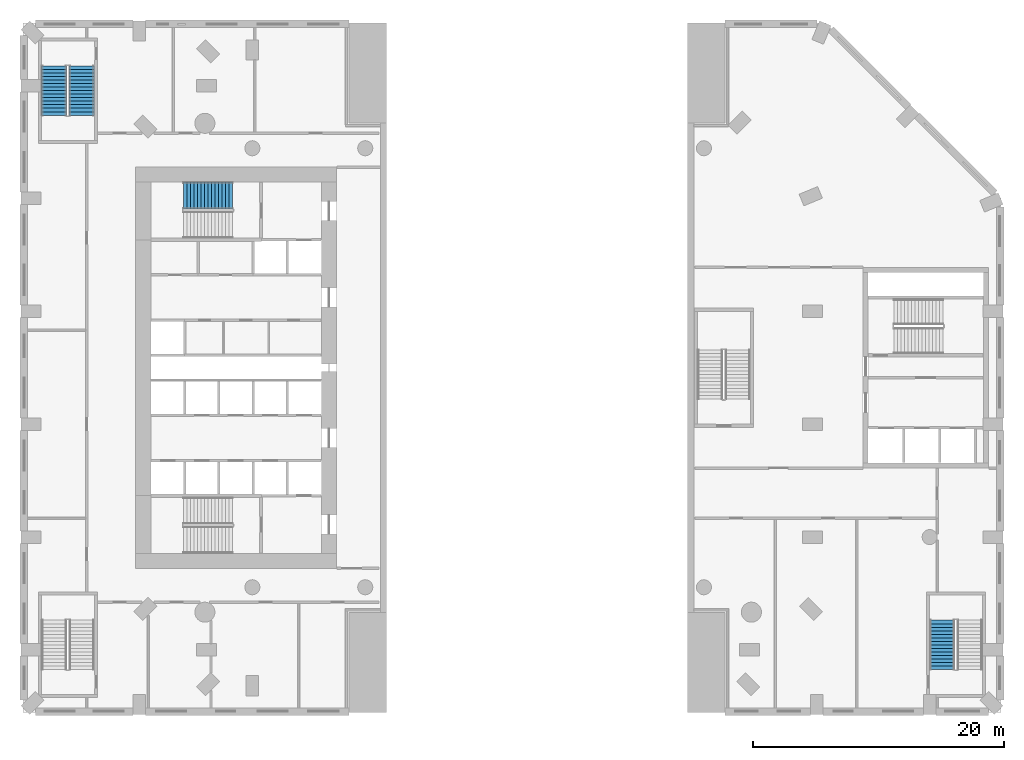
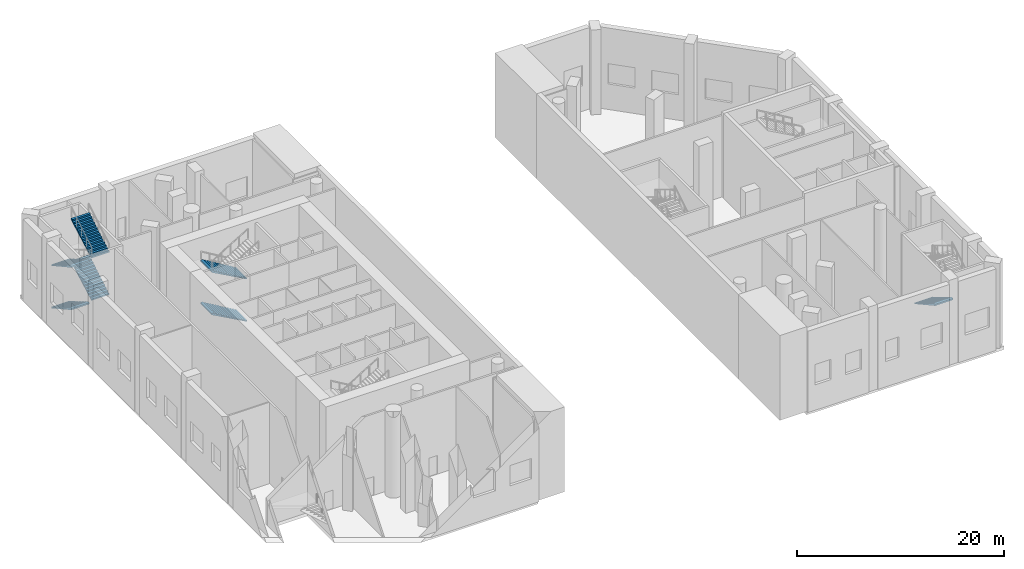
# One storey, part 12 of 17: 7 stair flights, 3 elements without a shape of their own.
"""IFC4 building model written with IfcOpenShell, lengths in metres."""

from ifc_helpers import new_model, si_unit, direction, frame, origin, place, context, subcontext, project, spatial, triangles, material, type_object, element, aggregate, save


model = new_model("IFC4")

# Units and contexts
model_context = context("Model", 3, precision=1e-05, world=origin(), true_north=direction((0.0, 1.0)))
body_context = subcontext(model_context, "Body", "Model", "MODEL_VIEW")
ifc_project = project(units=[si_unit("LENGTHUNIT", "METRE"), si_unit("AREAUNIT", "SQUARE_METRE"), si_unit("VOLUMEUNIT", "CUBIC_METRE"), si_unit("PLANEANGLEUNIT", "RADIAN"), si_unit("MASSUNIT", "GRAM", prefix="KILO")], contexts=[model_context])

# Site, building, storey
site_placement = place(None, origin())
site = spatial("IfcSite", under=ifc_project, at=site_placement, CompositionType="ELEMENT")
building_placement = place(site_placement, origin())
building = spatial("IfcBuilding", under=site, at=building_placement, Name="Cypress Arch Tower", CompositionType="ELEMENT")
storey_placement = place(building_placement, frame((0.0, 0.0, 19.0)))
storey = spatial("IfcBuildingStorey", under=building, at=storey_placement, Name="L02", CompositionType="ELEMENT", Elevation=19.0)

# Stair, stair flights
ifc_material_1 = material(Name="Concrete C40/50", Category="concrete")
stair_type_1 = type_object("IfcStairType", Name="Exit stair ES1667-200", PredefinedType="HALF_TURN_STAIR", material=ifc_material_1)
stair_1_placement = place(storey_placement, origin())
stair_1 = element("IfcStair", 1, at=stair_1_placement, inside=storey, type_object=stair_type_1, Name="L02 Exit stair P2", PredefinedType="HALF_TURN_STAIR")
ifc_material_2 = material(Name="Concrete C40/50", Category="concrete")
stair_flight_type_1 = type_object("IfcStairFlightType", Name="Exit stair flight ES1667-200", PredefinedType="STRAIGHT", material=ifc_material_2)
stair_flight_1_placement = place(storey_placement, frame((-36.5, 24.050048828125, 0.0), z_axis=(0.0, 0.0, 1.0), x_axis=(0.0, -1.0, 0.0)))
stair_flight_1 = element("IfcStairFlight", 2, at=stair_flight_1_placement, type_object=stair_flight_type_1, Name="P2 flight 1", NumberOfRisers=15, NumberOfTreads=14, PredefinedType="STRAIGHT", RiserHeight=0.166666667, TreadLength=0.28, context=body_context, shape_type="Tessellation", body=[
    triangles([(0.0, -1.0, 0.0), (0.0, -1.0, 0.166748046875), (0.280029296875, -1.0, 0.166748046875), (0.280029296875, -1.0, 0.333251953125), (0.56005859375, -1.0, 0.333251953125), (0.56005859375, -1.0, 0.5), (0.840087890625, -1.0, 0.5), (0.840087890625, -1.0, 0.666748046875), (1.1201171875, -1.0, 0.666748046875), (1.1201171875, -1.0, 0.833251953125), (1.39990234375, -1.0, 0.833251953125), (1.39990234375, -1.0, 1.0), (1.679931640625, -1.0, 1.0), (1.679931640625, -1.0, 1.166748046875), (1.9599609375, -1.0, 1.166748046875), (1.9599609375, -1.0, 1.333251953125), (2.239990234375, -1.0, 1.333251953125), (2.239990234375, -1.0, 1.5), (2.52001953125, -1.0, 1.5), (2.52001953125, -1.0, 1.666748046875), (2.800048828125, -1.0, 1.666748046875), (2.800048828125, -1.0, 1.833251953125), (3.080078125, -1.0, 1.833251953125), (3.080078125, -1.0, 2.0), (3.360107421875, -1.0, 2.0), (3.360107421875, -1.0, 2.166748046875), (3.639892578125, -1.0, 2.166748046875), (3.639892578125, -1.0, 2.333251953125), (3.919921875, -1.0, 2.333251953125), (3.919921875, -1.0, 2.158935546875), (3.919921875, 1.0, 2.158935546875), (3.919921875, 1.0, 2.333251953125), (3.639892578125, 1.0, 2.333251953125), (3.639892578125, 1.0, 2.166748046875), (3.360107421875, 1.0, 2.166748046875), (3.360107421875, 1.0, 2.0), (3.080078125, 1.0, 2.0), (3.080078125, 1.0, 1.833251953125), (2.800048828125, 1.0, 1.833251953125), (2.800048828125, 1.0, 1.666748046875), (2.52001953125, 1.0, 1.666748046875), (2.52001953125, 1.0, 1.5), (2.239990234375, 1.0, 1.5), (2.239990234375, 1.0, 1.333251953125), (1.9599609375, 1.0, 1.333251953125), (1.9599609375, 1.0, 1.166748046875), (1.679931640625, 1.0, 1.166748046875), (1.679931640625, 1.0, 1.0), (1.39990234375, 1.0, 1.0), (1.39990234375, 1.0, 0.833251953125), (1.1201171875, 1.0, 0.833251953125), (1.1201171875, 1.0, 0.666748046875), (0.840087890625, 1.0, 0.666748046875), (0.840087890625, 1.0, 0.5), (0.56005859375, 1.0, 0.5), (0.56005859375, 1.0, 0.333251953125), (0.280029296875, 1.0, 0.333251953125), (0.280029296875, 1.0, 0.166748046875), (0.0, 1.0, 0.166748046875), (0.0, 1.0, 0.0)], [[30, 29, 28], [27, 26, 25], [25, 24, 23], [21, 20, 19], [19, 18, 17], [15, 14, 13], [13, 12, 11], [9, 8, 7], [7, 6, 5], [3, 2, 1], [11, 10, 9], [23, 22, 21], [17, 16, 15], [5, 4, 3], [30, 28, 27], [30, 27, 25], [30, 25, 23], [30, 23, 21], [30, 21, 19], [30, 19, 17], [30, 17, 15], [30, 15, 13], [30, 13, 11], [30, 11, 9], [30, 9, 7], [30, 7, 5], [1, 30, 5], [5, 3, 1], [31, 33, 32], [34, 36, 35], [36, 38, 37], [40, 42, 41], [42, 44, 43], [46, 48, 47], [48, 50, 49], [52, 54, 53], [54, 56, 55], [58, 60, 59], [50, 52, 51], [38, 40, 39], [44, 46, 45], [56, 58, 57], [31, 34, 33], [31, 36, 34], [31, 38, 36], [31, 40, 38], [31, 42, 40], [31, 44, 42], [31, 46, 44], [31, 48, 46], [31, 50, 48], [31, 52, 50], [31, 54, 52], [31, 56, 54], [60, 56, 31], [56, 60, 58], [31, 32, 29], [31, 29, 30], [32, 33, 28], [32, 28, 29], [33, 34, 27], [33, 27, 28], [34, 35, 26], [34, 26, 27], [35, 36, 25], [35, 25, 26], [36, 37, 24], [36, 24, 25], [37, 38, 23], [37, 23, 24], [38, 39, 22], [38, 22, 23], [39, 40, 21], [39, 21, 22], [40, 41, 20], [40, 20, 21], [41, 42, 19], [41, 19, 20], [42, 43, 18], [42, 18, 19], [43, 44, 17], [43, 17, 18], [44, 45, 16], [44, 16, 17], [45, 46, 15], [45, 15, 16], [46, 47, 14], [46, 14, 15], [47, 48, 13], [47, 13, 14], [48, 49, 12], [48, 12, 13], [49, 50, 11], [49, 11, 12], [50, 51, 10], [50, 10, 11], [51, 52, 9], [51, 9, 10], [52, 53, 8], [52, 8, 9], [53, 54, 7], [53, 7, 8], [54, 55, 6], [54, 6, 7], [55, 56, 5], [55, 5, 6], [56, 57, 4], [56, 4, 5], [57, 58, 3], [57, 3, 4], [58, 59, 2], [58, 2, 3], [59, 60, 1], [59, 1, 2], [60, 31, 30], [60, 30, 1]], closed=True),
])
stair_flight_2_placement = place(storey_placement, frame((-34.300048828125, 20.1298828125, 2.5), z_axis=(0.0, 0.0, 1.0), x_axis=(0.0, 1.0, 0.0)))
stair_flight_2 = element("IfcStairFlight", 3, at=stair_flight_2_placement, type_object=stair_flight_type_1, Name="P2 flight 2", NumberOfRisers=15, NumberOfTreads=14, PredefinedType="STRAIGHT", RiserHeight=0.166666667, TreadLength=0.28, context=body_context, shape_type="Tessellation", body=[
    triangles([(0.0, -1.0, 0.0), (0.0, -1.0, 0.166748046875), (0.280029296875, -1.0, 0.166748046875), (0.280029296875, -1.0, 0.333251953125), (0.56005859375, -1.0, 0.333251953125), (0.56005859375, -1.0, 0.5), (0.840087890625, -1.0, 0.5), (0.840087890625, -1.0, 0.666748046875), (1.1201171875, -1.0, 0.666748046875), (1.1201171875, -1.0, 0.833251953125), (1.39990234375, -1.0, 0.833251953125), (1.39990234375, -1.0, 1.0), (1.679931640625, -1.0, 1.0), (1.679931640625, -1.0, 1.166748046875), (1.9599609375, -1.0, 1.166748046875), (1.9599609375, -1.0, 1.333251953125), (2.239990234375, -1.0, 1.333251953125), (2.239990234375, -1.0, 1.5), (2.52001953125, -1.0, 1.5), (2.52001953125, -1.0, 1.666748046875), (2.800048828125, -1.0, 1.666748046875), (2.800048828125, -1.0, 1.833251953125), (3.080078125, -1.0, 1.833251953125), (3.080078125, -1.0, 2.0), (3.360107421875, -1.0, 2.0), (3.360107421875, -1.0, 2.166748046875), (3.639892578125, -1.0, 2.166748046875), (3.639892578125, -1.0, 2.333251953125), (3.919921875, -1.0, 2.333251953125), (3.919921875, -1.0, 2.158935546875), (3.919921875, 1.0, 2.158935546875), (3.919921875, 1.0, 2.333251953125), (3.639892578125, 1.0, 2.333251953125), (3.639892578125, 1.0, 2.166748046875), (3.360107421875, 1.0, 2.166748046875), (3.360107421875, 1.0, 2.0), (3.080078125, 1.0, 2.0), (3.080078125, 1.0, 1.833251953125), (2.800048828125, 1.0, 1.833251953125), (2.800048828125, 1.0, 1.666748046875), (2.52001953125, 1.0, 1.666748046875), (2.52001953125, 1.0, 1.5), (2.239990234375, 1.0, 1.5), (2.239990234375, 1.0, 1.333251953125), (1.9599609375, 1.0, 1.333251953125), (1.9599609375, 1.0, 1.166748046875), (1.679931640625, 1.0, 1.166748046875), (1.679931640625, 1.0, 1.0), (1.39990234375, 1.0, 1.0), (1.39990234375, 1.0, 0.833251953125), (1.1201171875, 1.0, 0.833251953125), (1.1201171875, 1.0, 0.666748046875), (0.840087890625, 1.0, 0.666748046875), (0.840087890625, 1.0, 0.5), (0.56005859375, 1.0, 0.5), (0.56005859375, 1.0, 0.333251953125), (0.280029296875, 1.0, 0.333251953125), (0.280029296875, 1.0, 0.166748046875), (0.0, 1.0, 0.166748046875), (0.0, 1.0, 0.0)], [[30, 29, 28], [27, 26, 25], [25, 24, 23], [21, 20, 19], [19, 18, 17], [15, 14, 13], [13, 12, 11], [9, 8, 7], [7, 6, 5], [3, 2, 1], [11, 10, 9], [23, 22, 21], [17, 16, 15], [5, 4, 3], [30, 28, 27], [30, 27, 25], [30, 25, 23], [30, 23, 21], [30, 21, 19], [30, 19, 17], [30, 17, 15], [30, 15, 13], [30, 13, 11], [30, 11, 9], [30, 9, 7], [30, 7, 5], [1, 30, 5], [5, 3, 1], [31, 33, 32], [34, 36, 35], [36, 38, 37], [40, 42, 41], [42, 44, 43], [46, 48, 47], [48, 50, 49], [52, 54, 53], [54, 56, 55], [58, 60, 59], [50, 52, 51], [38, 40, 39], [44, 46, 45], [56, 58, 57], [31, 34, 33], [31, 36, 34], [31, 38, 36], [31, 40, 38], [31, 42, 40], [31, 44, 42], [31, 46, 44], [31, 48, 46], [31, 50, 48], [31, 52, 50], [31, 54, 52], [31, 56, 54], [60, 56, 31], [56, 60, 58], [31, 32, 29], [31, 29, 30], [32, 33, 28], [32, 28, 29], [33, 34, 27], [33, 27, 28], [34, 35, 26], [34, 26, 27], [35, 36, 25], [35, 25, 26], [36, 37, 24], [36, 24, 25], [37, 38, 23], [37, 23, 24], [38, 39, 22], [38, 22, 23], [39, 40, 21], [39, 21, 22], [40, 41, 20], [40, 20, 21], [41, 42, 19], [41, 19, 20], [42, 43, 18], [42, 18, 19], [43, 44, 17], [43, 17, 18], [44, 45, 16], [44, 16, 17], [45, 46, 15], [45, 15, 16], [46, 47, 14], [46, 14, 15], [47, 48, 13], [47, 13, 14], [48, 49, 12], [48, 12, 13], [49, 50, 11], [49, 11, 12], [50, 51, 10], [50, 10, 11], [51, 52, 9], [51, 9, 10], [52, 53, 8], [52, 8, 9], [53, 54, 7], [53, 7, 8], [54, 55, 6], [54, 6, 7], [55, 56, 5], [55, 5, 6], [56, 57, 4], [56, 4, 5], [57, 58, 3], [57, 3, 4], [58, 59, 2], [58, 2, 3], [59, 60, 1], [59, 1, 2], [60, 31, 30], [60, 30, 1]], closed=True),
])
stair_flight_3_placement = place(storey_placement, frame((-36.5, 24.050048828125, 5.0), z_axis=(0.0, 0.0, 1.0), x_axis=(0.0, -1.0, 0.0)))
stair_flight_3 = element("IfcStairFlight", 4, at=stair_flight_3_placement, type_object=stair_flight_type_1, Name="P2 flight 3", NumberOfRisers=15, NumberOfTreads=14, PredefinedType="STRAIGHT", RiserHeight=0.166666667, TreadLength=0.28, context=body_context, shape_type="Tessellation", body=[
    triangles([(0.0, -1.0, 0.0), (0.0, -1.0, 0.166748046875), (0.280029296875, -1.0, 0.166748046875), (0.280029296875, -1.0, 0.333251953125), (0.56005859375, -1.0, 0.333251953125), (0.56005859375, -1.0, 0.5), (0.840087890625, -1.0, 0.5), (0.840087890625, -1.0, 0.666748046875), (1.1201171875, -1.0, 0.666748046875), (1.1201171875, -1.0, 0.833251953125), (1.39990234375, -1.0, 0.833251953125), (1.39990234375, -1.0, 1.0), (1.679931640625, -1.0, 1.0), (1.679931640625, -1.0, 1.166748046875), (1.9599609375, -1.0, 1.166748046875), (1.9599609375, -1.0, 1.333251953125), (2.239990234375, -1.0, 1.333251953125), (2.239990234375, -1.0, 1.5), (2.52001953125, -1.0, 1.5), (2.52001953125, -1.0, 1.666748046875), (2.800048828125, -1.0, 1.666748046875), (2.800048828125, -1.0, 1.833251953125), (3.080078125, -1.0, 1.833251953125), (3.080078125, -1.0, 2.0), (3.360107421875, -1.0, 2.0), (3.360107421875, -1.0, 2.166748046875), (3.639892578125, -1.0, 2.166748046875), (3.639892578125, -1.0, 2.333251953125), (3.919921875, -1.0, 2.333251953125), (3.919921875, -1.0, 2.158935546875), (3.919921875, 1.0, 2.158935546875), (3.919921875, 1.0, 2.333251953125), (3.639892578125, 1.0, 2.333251953125), (3.639892578125, 1.0, 2.166748046875), (3.360107421875, 1.0, 2.166748046875), (3.360107421875, 1.0, 2.0), (3.080078125, 1.0, 2.0), (3.080078125, 1.0, 1.833251953125), (2.800048828125, 1.0, 1.833251953125), (2.800048828125, 1.0, 1.666748046875), (2.52001953125, 1.0, 1.666748046875), (2.52001953125, 1.0, 1.5), (2.239990234375, 1.0, 1.5), (2.239990234375, 1.0, 1.333251953125), (1.9599609375, 1.0, 1.333251953125), (1.9599609375, 1.0, 1.166748046875), (1.679931640625, 1.0, 1.166748046875), (1.679931640625, 1.0, 1.0), (1.39990234375, 1.0, 1.0), (1.39990234375, 1.0, 0.833251953125), (1.1201171875, 1.0, 0.833251953125), (1.1201171875, 1.0, 0.666748046875), (0.840087890625, 1.0, 0.666748046875), (0.840087890625, 1.0, 0.5), (0.56005859375, 1.0, 0.5), (0.56005859375, 1.0, 0.333251953125), (0.280029296875, 1.0, 0.333251953125), (0.280029296875, 1.0, 0.166748046875), (0.0, 1.0, 0.166748046875), (0.0, 1.0, 0.0)], [[30, 29, 28], [27, 26, 25], [25, 24, 23], [21, 20, 19], [19, 18, 17], [15, 14, 13], [13, 12, 11], [9, 8, 7], [7, 6, 5], [3, 2, 1], [11, 10, 9], [23, 22, 21], [17, 16, 15], [5, 4, 3], [30, 28, 27], [30, 27, 25], [30, 25, 23], [30, 23, 21], [30, 21, 19], [30, 19, 17], [30, 17, 15], [30, 15, 13], [30, 13, 11], [30, 11, 9], [30, 9, 7], [30, 7, 5], [1, 30, 5], [5, 3, 1], [31, 33, 32], [34, 36, 35], [36, 38, 37], [40, 42, 41], [42, 44, 43], [46, 48, 47], [48, 50, 49], [52, 54, 53], [54, 56, 55], [58, 60, 59], [50, 52, 51], [38, 40, 39], [44, 46, 45], [56, 58, 57], [31, 34, 33], [31, 36, 34], [31, 38, 36], [31, 40, 38], [31, 42, 40], [31, 44, 42], [31, 46, 44], [31, 48, 46], [31, 50, 48], [31, 52, 50], [31, 54, 52], [31, 56, 54], [60, 56, 31], [56, 60, 58], [31, 32, 29], [31, 29, 30], [32, 33, 28], [32, 28, 29], [33, 34, 27], [33, 27, 28], [34, 35, 26], [34, 26, 27], [35, 36, 25], [35, 25, 26], [36, 37, 24], [36, 24, 25], [37, 38, 23], [37, 23, 24], [38, 39, 22], [38, 22, 23], [39, 40, 21], [39, 21, 22], [40, 41, 20], [40, 20, 21], [41, 42, 19], [41, 19, 20], [42, 43, 18], [42, 18, 19], [43, 44, 17], [43, 17, 18], [44, 45, 16], [44, 16, 17], [45, 46, 15], [45, 15, 16], [46, 47, 14], [46, 14, 15], [47, 48, 13], [47, 13, 14], [48, 49, 12], [48, 12, 13], [49, 50, 11], [49, 11, 12], [50, 51, 10], [50, 10, 11], [51, 52, 9], [51, 9, 10], [52, 53, 8], [52, 8, 9], [53, 54, 7], [53, 7, 8], [54, 55, 6], [54, 6, 7], [55, 56, 5], [55, 5, 6], [56, 57, 4], [56, 4, 5], [57, 58, 3], [57, 3, 4], [58, 59, 2], [58, 2, 3], [59, 60, 1], [59, 1, 2], [60, 31, 30], [60, 30, 1]], closed=True),
])
stair_flight_4_placement = place(storey_placement, frame((-34.300048828125, 20.1298828125, 7.5), z_axis=(0.0, 0.0, 1.0), x_axis=(0.0, 1.0, 0.0)))
stair_flight_4 = element("IfcStairFlight", 5, at=stair_flight_4_placement, type_object=stair_flight_type_1, Name="P2 flight 4", NumberOfRisers=15, NumberOfTreads=14, PredefinedType="STRAIGHT", RiserHeight=0.166666667, TreadLength=0.28, context=body_context, shape_type="Tessellation", body=[
    triangles([(0.0, -1.0, 0.0), (0.0, -1.0, 0.166748046875), (0.280029296875, -1.0, 0.166748046875), (0.280029296875, -1.0, 0.333251953125), (0.56005859375, -1.0, 0.333251953125), (0.56005859375, -1.0, 0.5), (0.840087890625, -1.0, 0.5), (0.840087890625, -1.0, 0.666748046875), (1.1201171875, -1.0, 0.666748046875), (1.1201171875, -1.0, 0.833251953125), (1.39990234375, -1.0, 0.833251953125), (1.39990234375, -1.0, 1.0), (1.679931640625, -1.0, 1.0), (1.679931640625, -1.0, 1.166748046875), (1.9599609375, -1.0, 1.166748046875), (1.9599609375, -1.0, 1.333251953125), (2.239990234375, -1.0, 1.333251953125), (2.239990234375, -1.0, 1.5), (2.52001953125, -1.0, 1.5), (2.52001953125, -1.0, 1.666748046875), (2.800048828125, -1.0, 1.666748046875), (2.800048828125, -1.0, 1.833251953125), (3.080078125, -1.0, 1.833251953125), (3.080078125, -1.0, 2.0), (3.360107421875, -1.0, 2.0), (3.360107421875, -1.0, 2.166748046875), (3.639892578125, -1.0, 2.166748046875), (3.639892578125, -1.0, 2.333251953125), (3.919921875, -1.0, 2.333251953125), (3.919921875, -1.0, 2.158935546875), (3.919921875, 1.0, 2.158935546875), (3.919921875, 1.0, 2.333251953125), (3.639892578125, 1.0, 2.333251953125), (3.639892578125, 1.0, 2.166748046875), (3.360107421875, 1.0, 2.166748046875), (3.360107421875, 1.0, 2.0), (3.080078125, 1.0, 2.0), (3.080078125, 1.0, 1.833251953125), (2.800048828125, 1.0, 1.833251953125), (2.800048828125, 1.0, 1.666748046875), (2.52001953125, 1.0, 1.666748046875), (2.52001953125, 1.0, 1.5), (2.239990234375, 1.0, 1.5), (2.239990234375, 1.0, 1.333251953125), (1.9599609375, 1.0, 1.333251953125), (1.9599609375, 1.0, 1.166748046875), (1.679931640625, 1.0, 1.166748046875), (1.679931640625, 1.0, 1.0), (1.39990234375, 1.0, 1.0), (1.39990234375, 1.0, 0.833251953125), (1.1201171875, 1.0, 0.833251953125), (1.1201171875, 1.0, 0.666748046875), (0.840087890625, 1.0, 0.666748046875), (0.840087890625, 1.0, 0.5), (0.56005859375, 1.0, 0.5), (0.56005859375, 1.0, 0.333251953125), (0.280029296875, 1.0, 0.333251953125), (0.280029296875, 1.0, 0.166748046875), (0.0, 1.0, 0.166748046875), (0.0, 1.0, 0.0)], [[30, 29, 28], [27, 26, 25], [25, 24, 23], [21, 20, 19], [19, 18, 17], [15, 14, 13], [13, 12, 11], [9, 8, 7], [7, 6, 5], [3, 2, 1], [11, 10, 9], [23, 22, 21], [17, 16, 15], [5, 4, 3], [30, 28, 27], [30, 27, 25], [30, 25, 23], [30, 23, 21], [30, 21, 19], [30, 19, 17], [30, 17, 15], [30, 15, 13], [30, 13, 11], [30, 11, 9], [30, 9, 7], [30, 7, 5], [1, 30, 5], [5, 3, 1], [31, 33, 32], [34, 36, 35], [36, 38, 37], [40, 42, 41], [42, 44, 43], [46, 48, 47], [48, 50, 49], [52, 54, 53], [54, 56, 55], [58, 60, 59], [50, 52, 51], [38, 40, 39], [44, 46, 45], [56, 58, 57], [31, 34, 33], [31, 36, 34], [31, 38, 36], [31, 40, 38], [31, 42, 40], [31, 44, 42], [31, 46, 44], [31, 48, 46], [31, 50, 48], [31, 52, 50], [31, 54, 52], [31, 56, 54], [60, 56, 31], [56, 60, 58], [31, 32, 29], [31, 29, 30], [32, 33, 28], [32, 28, 29], [33, 34, 27], [33, 27, 28], [34, 35, 26], [34, 26, 27], [35, 36, 25], [35, 25, 26], [36, 37, 24], [36, 24, 25], [37, 38, 23], [37, 23, 24], [38, 39, 22], [38, 22, 23], [39, 40, 21], [39, 21, 22], [40, 41, 20], [40, 20, 21], [41, 42, 19], [41, 19, 20], [42, 43, 18], [42, 18, 19], [43, 44, 17], [43, 17, 18], [44, 45, 16], [44, 16, 17], [45, 46, 15], [45, 15, 16], [46, 47, 14], [46, 14, 15], [47, 48, 13], [47, 13, 14], [48, 49, 12], [48, 12, 13], [49, 50, 11], [49, 11, 12], [50, 51, 10], [50, 10, 11], [51, 52, 9], [51, 9, 10], [52, 53, 8], [52, 8, 9], [53, 54, 7], [53, 7, 8], [54, 55, 6], [54, 6, 7], [55, 56, 5], [55, 5, 6], [56, 57, 4], [56, 4, 5], [57, 58, 3], [57, 3, 4], [58, 59, 2], [58, 2, 3], [59, 60, 1], [59, 1, 2], [60, 31, 30], [60, 30, 1]], closed=True),
])
aggregate(stair_1, [stair_flight_1, stair_flight_2, stair_flight_3, stair_flight_4])

# Stair, stair flight
stair_2_placement = place(storey_placement, origin())
stair_2 = element("IfcStair", 6, at=stair_2_placement, inside=storey, type_object=stair_type_1, Name="L02 Exit stair P4", PredefinedType="HALF_TURN_STAIR")
stair_flight_5_placement = place(storey_placement, frame((34.300048828125, -20.1298828125, 2.5), z_axis=(0.0, 0.0, 1.0), x_axis=(0.0, -1.0, 0.0)))
stair_flight_5 = element("IfcStairFlight", 7, at=stair_flight_5_placement, type_object=stair_flight_type_1, Name="P4 flight 2", NumberOfRisers=15, NumberOfTreads=14, PredefinedType="STRAIGHT", RiserHeight=0.166666667, TreadLength=0.28, context=body_context, shape_type="Tessellation", body=[
    triangles([(0.0, -1.0, 0.0), (0.0, -1.0, 0.166748046875), (0.280029296875, -1.0, 0.166748046875), (0.280029296875, -1.0, 0.333251953125), (0.56005859375, -1.0, 0.333251953125), (0.56005859375, -1.0, 0.5), (0.840087890625, -1.0, 0.5), (0.840087890625, -1.0, 0.666748046875), (1.1201171875, -1.0, 0.666748046875), (1.1201171875, -1.0, 0.833251953125), (1.39990234375, -1.0, 0.833251953125), (1.39990234375, -1.0, 1.0), (1.679931640625, -1.0, 1.0), (1.679931640625, -1.0, 1.166748046875), (1.9599609375, -1.0, 1.166748046875), (1.9599609375, -1.0, 1.333251953125), (2.239990234375, -1.0, 1.333251953125), (2.239990234375, -1.0, 1.5), (2.52001953125, -1.0, 1.5), (2.52001953125, -1.0, 1.666748046875), (2.800048828125, -1.0, 1.666748046875), (2.800048828125, -1.0, 1.833251953125), (3.080078125, -1.0, 1.833251953125), (3.080078125, -1.0, 2.0), (3.360107421875, -1.0, 2.0), (3.360107421875, -1.0, 2.166748046875), (3.639892578125, -1.0, 2.166748046875), (3.639892578125, -1.0, 2.333251953125), (3.919921875, -1.0, 2.333251953125), (3.919921875, -1.0, 2.158935546875), (3.919921875, 1.0, 2.158935546875), (3.919921875, 1.0, 2.333251953125), (3.639892578125, 1.0, 2.333251953125), (3.639892578125, 1.0, 2.166748046875), (3.360107421875, 1.0, 2.166748046875), (3.360107421875, 1.0, 2.0), (3.080078125, 1.0, 2.0), (3.080078125, 1.0, 1.833251953125), (2.800048828125, 1.0, 1.833251953125), (2.800048828125, 1.0, 1.666748046875), (2.52001953125, 1.0, 1.666748046875), (2.52001953125, 1.0, 1.5), (2.239990234375, 1.0, 1.5), (2.239990234375, 1.0, 1.333251953125), (1.9599609375, 1.0, 1.333251953125), (1.9599609375, 1.0, 1.166748046875), (1.679931640625, 1.0, 1.166748046875), (1.679931640625, 1.0, 1.0), (1.39990234375, 1.0, 1.0), (1.39990234375, 1.0, 0.833251953125), (1.1201171875, 1.0, 0.833251953125), (1.1201171875, 1.0, 0.666748046875), (0.840087890625, 1.0, 0.666748046875), (0.840087890625, 1.0, 0.5), (0.56005859375, 1.0, 0.5), (0.56005859375, 1.0, 0.333251953125), (0.280029296875, 1.0, 0.333251953125), (0.280029296875, 1.0, 0.166748046875), (0.0, 1.0, 0.166748046875), (0.0, 1.0, 0.0)], [[30, 29, 28], [27, 26, 25], [25, 24, 23], [21, 20, 19], [19, 18, 17], [15, 14, 13], [13, 12, 11], [9, 8, 7], [7, 6, 5], [3, 2, 1], [11, 10, 9], [23, 22, 21], [17, 16, 15], [5, 4, 3], [30, 28, 27], [30, 27, 25], [30, 25, 23], [30, 23, 21], [30, 21, 19], [30, 19, 17], [30, 17, 15], [30, 15, 13], [30, 13, 11], [30, 11, 9], [30, 9, 7], [30, 7, 5], [1, 30, 5], [5, 3, 1], [31, 33, 32], [34, 36, 35], [36, 38, 37], [40, 42, 41], [42, 44, 43], [46, 48, 47], [48, 50, 49], [52, 54, 53], [54, 56, 55], [58, 60, 59], [50, 52, 51], [38, 40, 39], [44, 46, 45], [56, 58, 57], [31, 34, 33], [31, 36, 34], [31, 38, 36], [31, 40, 38], [31, 42, 40], [31, 44, 42], [31, 46, 44], [31, 48, 46], [31, 50, 48], [31, 52, 50], [31, 54, 52], [31, 56, 54], [60, 56, 31], [56, 60, 58], [31, 32, 29], [31, 29, 30], [32, 33, 28], [32, 28, 29], [33, 34, 27], [33, 27, 28], [34, 35, 26], [34, 26, 27], [35, 36, 25], [35, 25, 26], [36, 37, 24], [36, 24, 25], [37, 38, 23], [37, 23, 24], [38, 39, 22], [38, 22, 23], [39, 40, 21], [39, 21, 22], [40, 41, 20], [40, 20, 21], [41, 42, 19], [41, 19, 20], [42, 43, 18], [42, 18, 19], [43, 44, 17], [43, 17, 18], [44, 45, 16], [44, 16, 17], [45, 46, 15], [45, 15, 16], [46, 47, 14], [46, 14, 15], [47, 48, 13], [47, 13, 14], [48, 49, 12], [48, 12, 13], [49, 50, 11], [49, 11, 12], [50, 51, 10], [50, 10, 11], [51, 52, 9], [51, 9, 10], [52, 53, 8], [52, 8, 9], [53, 54, 7], [53, 7, 8], [54, 55, 6], [54, 6, 7], [55, 56, 5], [55, 5, 6], [56, 57, 4], [56, 4, 5], [57, 58, 3], [57, 3, 4], [58, 59, 2], [58, 2, 3], [59, 60, 1], [59, 1, 2], [60, 31, 30], [60, 30, 1]], closed=True),
])
aggregate(stair_2, [stair_flight_5])

# Stair, stair flights
ifc_material_3 = material(Name="Concrete C40/50", Category="concrete")
stair_type_2 = type_object("IfcStairType", Name="Exit stair ES1667-215", PredefinedType="HALF_TURN_STAIR", material=ifc_material_3)
stair_3_placement = place(storey_placement, origin())
stair_3 = element("IfcStair", 8, at=stair_3_placement, inside=storey, type_object=stair_type_2, Name="L02 Exit stair B", PredefinedType="HALF_TURN_STAIR")
ifc_material_4 = material(Name="Concrete C40/50", Category="concrete")
stair_flight_type_2 = type_object("IfcStairFlightType", Name="Exit stair flight ES1667-215", PredefinedType="STRAIGHT", material=ifc_material_4)
stair_flight_6_placement = place(storey_placement, frame((-22.27490234375, 13.72509765625, 0.0), z_axis=(0.0, 0.0, 1.0), x_axis=(-1.0, 0.0, 0.0)))
stair_flight_6 = element("IfcStairFlight", 9, at=stair_flight_6_placement, type_object=stair_flight_type_2, Name="B flight 1", NumberOfRisers=15, NumberOfTreads=14, PredefinedType="STRAIGHT", RiserHeight=0.166666667, TreadLength=0.28, context=body_context, shape_type="Tessellation", body=[
    triangles([(0.0, -1.074951171875, 0.0), (0.00048828125, -1.074951171875, 0.0556640625), (0.00048828125, -1.074951171875, 0.111083984375), (0.0, -1.074951171875, 0.166748046875), (0.280029296875, -1.074951171875, 0.166748046875), (0.280029296875, -1.074951171875, 0.333251953125), (0.56005859375, -1.074951171875, 0.333251953125), (0.56005859375, -1.074951171875, 0.5), (0.840087890625, -1.074951171875, 0.5), (0.840087890625, -1.074951171875, 0.666748046875), (1.1201171875, -1.074951171875, 0.666748046875), (1.1201171875, -1.074951171875, 0.833251953125), (1.39990234375, -1.074951171875, 0.833251953125), (1.39990234375, -1.074951171875, 1.0), (1.679931640625, -1.074951171875, 1.0), (1.679931640625, -1.074951171875, 1.166748046875), (1.9599609375, -1.074951171875, 1.166748046875), (1.9599609375, -1.074951171875, 1.333251953125), (2.239990234375, -1.074951171875, 1.333251953125), (2.239990234375, -1.074951171875, 1.5), (2.52001953125, -1.074951171875, 1.5), (2.52001953125, -1.074951171875, 1.666748046875), (2.800048828125, -1.074951171875, 1.666748046875), (2.800048828125, -1.074951171875, 1.833251953125), (3.080078125, -1.074951171875, 1.833251953125), (3.080078125, -1.074951171875, 2.0), (3.360107421875, -1.074951171875, 2.0), (3.360107421875, -1.074951171875, 2.166748046875), (3.639892578125, -1.074951171875, 2.166748046875), (3.639892578125, -1.074951171875, 2.333251953125), (3.919921875, -1.074951171875, 2.333251953125), (3.91943359375, -1.074951171875, 2.275146484375), (3.91943359375, -1.074951171875, 2.217041015625), (3.919921875, -1.074951171875, 2.158935546875), (3.919921875, 1.074951171875, 2.158935546875), (3.91943359375, 1.074951171875, 2.217041015625), (3.91943359375, 1.074951171875, 2.275146484375), (3.919921875, 1.074951171875, 2.333251953125), (3.639892578125, 1.074951171875, 2.333251953125), (3.639892578125, 1.074951171875, 2.166748046875), (3.360107421875, 1.074951171875, 2.166748046875), (3.360107421875, 1.074951171875, 2.0), (3.080078125, 1.074951171875, 2.0), (3.080078125, 1.074951171875, 1.833251953125), (2.800048828125, 1.074951171875, 1.833251953125), (2.800048828125, 1.074951171875, 1.666748046875), (2.52001953125, 1.074951171875, 1.666748046875), (2.52001953125, 1.074951171875, 1.5), (2.239990234375, 1.074951171875, 1.5), (2.239990234375, 1.074951171875, 1.333251953125), (1.9599609375, 1.074951171875, 1.333251953125), (1.9599609375, 1.074951171875, 1.166748046875), (1.679931640625, 1.074951171875, 1.166748046875), (1.679931640625, 1.074951171875, 1.0), (1.39990234375, 1.074951171875, 1.0), (1.39990234375, 1.074951171875, 0.833251953125), (1.1201171875, 1.074951171875, 0.833251953125), (1.1201171875, 1.074951171875, 0.666748046875), (0.840087890625, 1.074951171875, 0.666748046875), (0.840087890625, 1.074951171875, 0.5), (0.56005859375, 1.074951171875, 0.5), (0.56005859375, 1.074951171875, 0.333251953125), (0.280029296875, 1.074951171875, 0.333251953125), (0.280029296875, 1.074951171875, 0.166748046875), (0.0, 1.074951171875, 0.166748046875), (0.00048828125, 1.074951171875, 0.111083984375), (0.00048828125, 1.074951171875, 0.0556640625), (0.0, 1.074951171875, 0.0)], [[34, 33, 30], [33, 32, 30], [32, 31, 30], [29, 28, 27], [27, 26, 25], [23, 22, 21], [21, 20, 19], [17, 16, 15], [15, 14, 13], [11, 10, 9], [9, 8, 7], [4, 3, 5], [3, 2, 5], [2, 1, 5], [13, 12, 11], [25, 24, 23], [19, 18, 17], [7, 6, 5], [34, 30, 29], [34, 29, 27], [34, 27, 25], [34, 25, 23], [34, 23, 21], [34, 21, 19], [34, 19, 17], [34, 17, 15], [34, 15, 13], [34, 13, 11], [34, 11, 9], [34, 9, 7], [1, 34, 7], [7, 5, 1], [35, 39, 36], [36, 39, 37], [37, 39, 38], [40, 42, 41], [42, 44, 43], [46, 48, 47], [48, 50, 49], [52, 54, 53], [54, 56, 55], [58, 60, 59], [60, 62, 61], [65, 64, 66], [66, 64, 67], [67, 64, 68], [56, 58, 57], [44, 46, 45], [50, 52, 51], [62, 64, 63], [35, 40, 39], [35, 42, 40], [35, 44, 42], [35, 46, 44], [35, 48, 46], [35, 50, 48], [35, 52, 50], [35, 54, 52], [35, 56, 54], [35, 58, 56], [35, 60, 58], [35, 62, 60], [68, 62, 35], [62, 68, 64], [35, 36, 33], [35, 33, 34], [36, 37, 32], [36, 32, 33], [37, 38, 31], [37, 31, 32], [38, 39, 30], [38, 30, 31], [39, 40, 29], [39, 29, 30], [40, 41, 28], [40, 28, 29], [41, 42, 27], [41, 27, 28], [42, 43, 26], [42, 26, 27], [43, 44, 25], [43, 25, 26], [44, 45, 24], [44, 24, 25], [45, 46, 23], [45, 23, 24], [46, 47, 22], [46, 22, 23], [47, 48, 21], [47, 21, 22], [48, 49, 20], [48, 20, 21], [49, 50, 19], [49, 19, 20], [50, 51, 18], [50, 18, 19], [51, 52, 17], [51, 17, 18], [52, 53, 16], [52, 16, 17], [53, 54, 15], [53, 15, 16], [54, 55, 14], [54, 14, 15], [55, 56, 13], [55, 13, 14], [56, 57, 12], [56, 12, 13], [57, 58, 11], [57, 11, 12], [58, 59, 10], [58, 10, 11], [59, 60, 9], [59, 9, 10], [60, 61, 8], [60, 8, 9], [61, 62, 7], [61, 7, 8], [62, 63, 6], [62, 6, 7], [63, 64, 5], [63, 5, 6], [64, 65, 4], [64, 4, 5], [65, 66, 3], [65, 3, 4], [66, 67, 2], [66, 2, 3], [67, 68, 1], [67, 1, 2], [68, 35, 34], [68, 34, 1]], closed=True),
])
stair_flight_7_placement = place(storey_placement, frame((-22.27490234375, 13.72509765625, 5.0), z_axis=(0.0, 0.0, 1.0), x_axis=(-1.0, 0.0, 0.0)))
stair_flight_7 = element("IfcStairFlight", 10, at=stair_flight_7_placement, type_object=stair_flight_type_2, Name="B flight 3", NumberOfRisers=15, NumberOfTreads=14, PredefinedType="STRAIGHT", RiserHeight=0.166666667, TreadLength=0.28, context=body_context, shape_type="Tessellation", body=[
    triangles([(0.0, -1.074951171875, 0.0), (0.00048828125, -1.074951171875, 0.0556640625), (0.00048828125, -1.074951171875, 0.111083984375), (0.0, -1.074951171875, 0.166748046875), (0.280029296875, -1.074951171875, 0.166748046875), (0.280029296875, -1.074951171875, 0.333251953125), (0.56005859375, -1.074951171875, 0.333251953125), (0.56005859375, -1.074951171875, 0.5), (0.840087890625, -1.074951171875, 0.5), (0.840087890625, -1.074951171875, 0.666748046875), (1.1201171875, -1.074951171875, 0.666748046875), (1.1201171875, -1.074951171875, 0.833251953125), (1.39990234375, -1.074951171875, 0.833251953125), (1.39990234375, -1.074951171875, 1.0), (1.679931640625, -1.074951171875, 1.0), (1.679931640625, -1.074951171875, 1.166748046875), (1.9599609375, -1.074951171875, 1.166748046875), (1.9599609375, -1.074951171875, 1.333251953125), (2.239990234375, -1.074951171875, 1.333251953125), (2.239990234375, -1.074951171875, 1.5), (2.52001953125, -1.074951171875, 1.5), (2.52001953125, -1.074951171875, 1.666748046875), (2.800048828125, -1.074951171875, 1.666748046875), (2.800048828125, -1.074951171875, 1.833251953125), (3.080078125, -1.074951171875, 1.833251953125), (3.080078125, -1.074951171875, 2.0), (3.360107421875, -1.074951171875, 2.0), (3.360107421875, -1.074951171875, 2.166748046875), (3.639892578125, -1.074951171875, 2.166748046875), (3.639892578125, -1.074951171875, 2.333251953125), (3.919921875, -1.074951171875, 2.333251953125), (3.91943359375, -1.074951171875, 2.275146484375), (3.91943359375, -1.074951171875, 2.217041015625), (3.919921875, -1.074951171875, 2.158935546875), (3.919921875, 1.074951171875, 2.158935546875), (3.91943359375, 1.074951171875, 2.217041015625), (3.91943359375, 1.074951171875, 2.275146484375), (3.919921875, 1.074951171875, 2.333251953125), (3.639892578125, 1.074951171875, 2.333251953125), (3.639892578125, 1.074951171875, 2.166748046875), (3.360107421875, 1.074951171875, 2.166748046875), (3.360107421875, 1.074951171875, 2.0), (3.080078125, 1.074951171875, 2.0), (3.080078125, 1.074951171875, 1.833251953125), (2.800048828125, 1.074951171875, 1.833251953125), (2.800048828125, 1.074951171875, 1.666748046875), (2.52001953125, 1.074951171875, 1.666748046875), (2.52001953125, 1.074951171875, 1.5), (2.239990234375, 1.074951171875, 1.5), (2.239990234375, 1.074951171875, 1.333251953125), (1.9599609375, 1.074951171875, 1.333251953125), (1.9599609375, 1.074951171875, 1.166748046875), (1.679931640625, 1.074951171875, 1.166748046875), (1.679931640625, 1.074951171875, 1.0), (1.39990234375, 1.074951171875, 1.0), (1.39990234375, 1.074951171875, 0.833251953125), (1.1201171875, 1.074951171875, 0.833251953125), (1.1201171875, 1.074951171875, 0.666748046875), (0.840087890625, 1.074951171875, 0.666748046875), (0.840087890625, 1.074951171875, 0.5), (0.56005859375, 1.074951171875, 0.5), (0.56005859375, 1.074951171875, 0.333251953125), (0.280029296875, 1.074951171875, 0.333251953125), (0.280029296875, 1.074951171875, 0.166748046875), (0.0, 1.074951171875, 0.166748046875), (0.00048828125, 1.074951171875, 0.111083984375), (0.00048828125, 1.074951171875, 0.0556640625), (0.0, 1.074951171875, 0.0)], [[34, 33, 30], [33, 32, 30], [32, 31, 30], [29, 28, 27], [27, 26, 25], [23, 22, 21], [21, 20, 19], [17, 16, 15], [15, 14, 13], [11, 10, 9], [9, 8, 7], [4, 3, 5], [3, 2, 5], [2, 1, 5], [13, 12, 11], [25, 24, 23], [19, 18, 17], [7, 6, 5], [34, 30, 29], [34, 29, 27], [34, 27, 25], [34, 25, 23], [34, 23, 21], [34, 21, 19], [34, 19, 17], [34, 17, 15], [34, 15, 13], [34, 13, 11], [34, 11, 9], [34, 9, 7], [1, 34, 7], [7, 5, 1], [35, 39, 36], [36, 39, 37], [37, 39, 38], [40, 42, 41], [42, 44, 43], [46, 48, 47], [48, 50, 49], [52, 54, 53], [54, 56, 55], [58, 60, 59], [60, 62, 61], [65, 64, 66], [66, 64, 67], [67, 64, 68], [56, 58, 57], [44, 46, 45], [50, 52, 51], [62, 64, 63], [35, 40, 39], [35, 42, 40], [35, 44, 42], [35, 46, 44], [35, 48, 46], [35, 50, 48], [35, 52, 50], [35, 54, 52], [35, 56, 54], [35, 58, 56], [35, 60, 58], [35, 62, 60], [68, 62, 35], [62, 68, 64], [35, 36, 33], [35, 33, 34], [36, 37, 32], [36, 32, 33], [37, 38, 31], [37, 31, 32], [38, 39, 30], [38, 30, 31], [39, 40, 29], [39, 29, 30], [40, 41, 28], [40, 28, 29], [41, 42, 27], [41, 27, 28], [42, 43, 26], [42, 26, 27], [43, 44, 25], [43, 25, 26], [44, 45, 24], [44, 24, 25], [45, 46, 23], [45, 23, 24], [46, 47, 22], [46, 22, 23], [47, 48, 21], [47, 21, 22], [48, 49, 20], [48, 20, 21], [49, 50, 19], [49, 19, 20], [50, 51, 18], [50, 18, 19], [51, 52, 17], [51, 17, 18], [52, 53, 16], [52, 16, 17], [53, 54, 15], [53, 15, 16], [54, 55, 14], [54, 14, 15], [55, 56, 13], [55, 13, 14], [56, 57, 12], [56, 12, 13], [57, 58, 11], [57, 11, 12], [58, 59, 10], [58, 10, 11], [59, 60, 9], [59, 9, 10], [60, 61, 8], [60, 8, 9], [61, 62, 7], [61, 7, 8], [62, 63, 6], [62, 6, 7], [63, 64, 5], [63, 5, 6], [64, 65, 4], [64, 4, 5], [65, 66, 3], [65, 3, 4], [66, 67, 2], [66, 2, 3], [67, 68, 1], [67, 1, 2], [68, 35, 34], [68, 34, 1]], closed=True),
])
aggregate(stair_3, [stair_flight_6, stair_flight_7])

save(model, "model.ifc")
